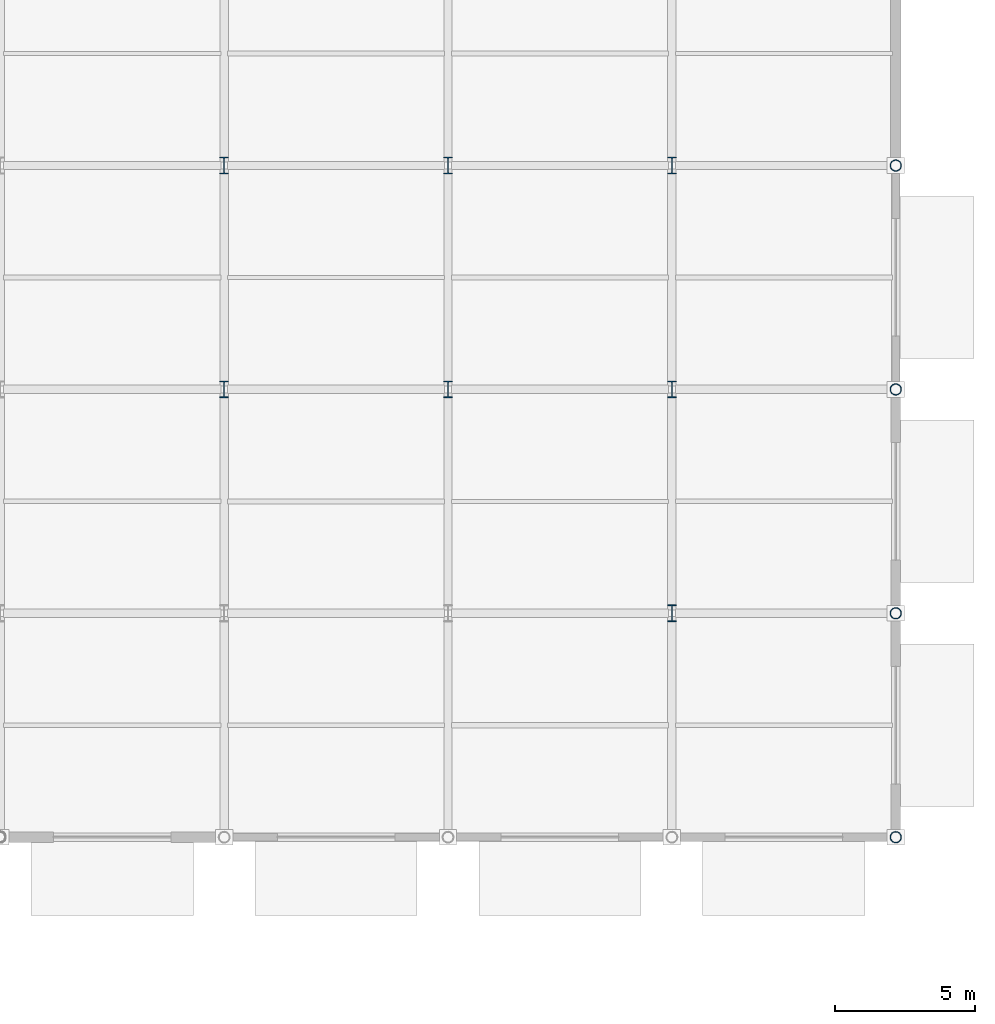
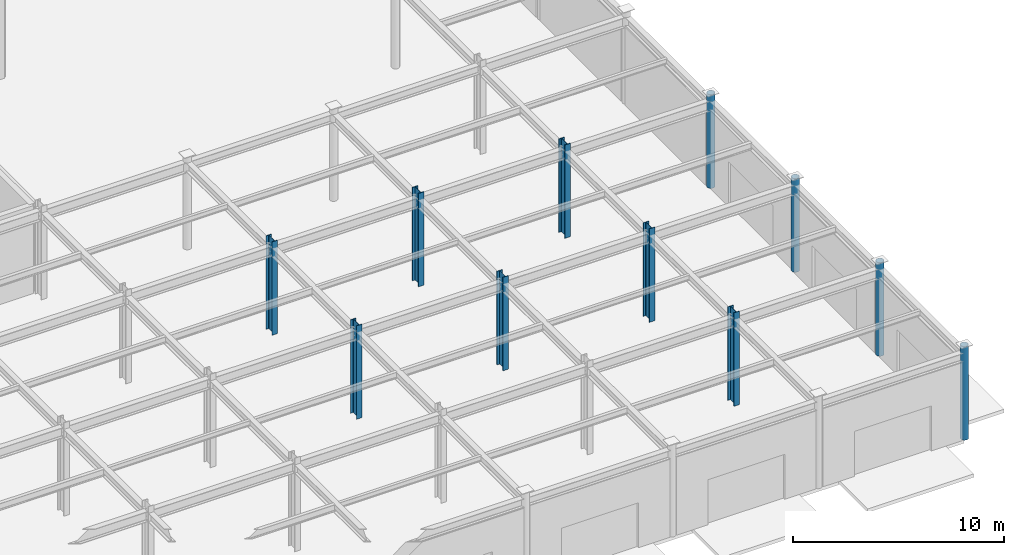
# One storey, part 4 of 39: 11 columns.
"""IFC4 building model written with IfcOpenShell, lengths in metres."""

from ifc_helpers import new_model, si_unit, direction, frame, origin, origin_2d, place, context, subcontext, project, spatial, hollow_circle, i_section, extrude, material, material_profile, profile_set, type_object, element, save


model = new_model("IFC4")

# Units and contexts
model_context = context("Model", 3, precision=1e-05, world=origin(), true_north=direction((0.0, 1.0)))
body_context = subcontext(model_context, "Body", "Model", "MODEL_VIEW")
ifc_project = project(units=[si_unit("LENGTHUNIT", "METRE"), si_unit("AREAUNIT", "SQUARE_METRE"), si_unit("VOLUMEUNIT", "CUBIC_METRE"), si_unit("PLANEANGLEUNIT", "RADIAN"), si_unit("MASSUNIT", "GRAM", prefix="KILO")], contexts=[model_context])

# Site, building, storey
site_placement = place(None, origin())
site = spatial("IfcSite", under=ifc_project, at=site_placement, CompositionType="ELEMENT")
building_placement = place(site_placement, origin())
building = spatial("IfcBuilding", under=site, at=building_placement, Name="Tazarka Park Arena", CompositionType="ELEMENT")
storey_placement = place(building_placement, origin())
storey = spatial("IfcBuildingStorey", under=building, at=storey_placement, Name="L00", CompositionType="ELEMENT", Elevation=0.0)

# Columns
ifc_material_1 = material(Name="Steel S355", Category="steel")
ifc_material_profile_1 = material_profile(ifc_material_1, i_section(OverallWidth=0.300048828125, OverallDepth=0.60009765625, WebThickness=0.015380859375, FlangeThickness=0.030029296875, FilletRadius=0.027099609375, at=origin_2d()), Name="Steel S355")
ifc_profile_set_1 = profile_set([ifc_material_profile_1], Name="Steel S355")
column_type_1 = type_object("IfcColumnType", Name="COL-SC-03", PredefinedType="COLUMN", material=ifc_profile_set_1)
for number, where, z_axis, x_axis, name in (
    (1, (160.0, 48.0, 0.0), (0.0, 0.0, 1.0), (1.0, 0.0, 0.0), "CLM-L00-20-06"),
    (2, (160.0, 56.0, 0.0), (0.0, 0.0, 1.0), (1.0, 0.0, 0.0), "CLM-L00-20-07"),
    (3, (168.0, 48.0, 0.0), (0.0, 0.0, 1.0), (1.0, 0.0, 0.0), "CLM-L00-21-06"),
    (4, (168.0, 56.0, 0.0), (0.0, 0.0, 1.0), (1.0, 0.0, 0.0), "CLM-L00-21-07"),
    (5, (176.0, 40.0, 0.0), (0.0, 0.0, 1.0), (1.0, 0.0, 0.0), "CLM-L00-22-05"),
    (6, (176.0, 48.0, 0.0), (0.0, 0.0, 1.0), (1.0, 0.0, 0.0), "CLM-L00-22-06"),
    (7, (176.0, 56.0, 0.0), (0.0, 0.0, 1.0), (1.0, 0.0, 0.0), "CLM-L00-22-07"),
):
    element("IfcColumn", number, at=place(storey_placement, frame(where, z_axis=z_axis, x_axis=x_axis)), inside=storey, type_object=column_type_1, Name=name, PredefinedType="COLUMN", context=body_context, shape_type="SweptSolid", body=[
        extrude(i_section(OverallWidth=0.300048828125, OverallDepth=0.60009765625, WebThickness=0.015380859375, FlangeThickness=0.030029296875, FilletRadius=0.027099609375, at=origin_2d()), origin(), (0.0, 0.0, 1.0), 5.39990234375),
    ])
ifc_material_2 = material(Name="Steel S355", Category="steel")
ifc_material_profile_2 = material_profile(ifc_material_2, hollow_circle(Radius=0.203125, WallThickness=0.02001953125, at=origin_2d()), Name="Steel S355")
ifc_profile_set_2 = profile_set([ifc_material_profile_2], Name="Steel S355")
column_type_2 = type_object("IfcColumnType", Name="COL-SC-04", PredefinedType="COLUMN", material=ifc_profile_set_2)
for number, where, z_axis, x_axis, name in (
    (8, (184.0, 32.0, 0.0), (0.0, 0.0, 1.0), (1.0, 0.0, 0.0), "CLM-L00-23-04"),
    (9, (184.0, 40.0, 0.0), (0.0, 0.0, 1.0), (1.0, 0.0, 0.0), "CLM-L00-23-05"),
    (10, (184.0, 48.0, 0.0), (0.0, 0.0, 1.0), (1.0, 0.0, 0.0), "CLM-L00-23-06"),
    (11, (184.0, 56.0, 0.0), (0.0, 0.0, 1.0), (1.0, 0.0, 0.0), "CLM-L00-23-07"),
):
    element("IfcColumn", number, at=place(storey_placement, frame(where, z_axis=z_axis, x_axis=x_axis)), inside=storey, type_object=column_type_2, Name=name, PredefinedType="COLUMN", context=body_context, shape_type="SweptSolid", body=[
        extrude(hollow_circle(Radius=0.203125, WallThickness=0.02001953125, at=origin_2d()), origin(), (0.0, 0.0, 1.0), 5.39990234375),
    ])

save(model, "model.ifc")
